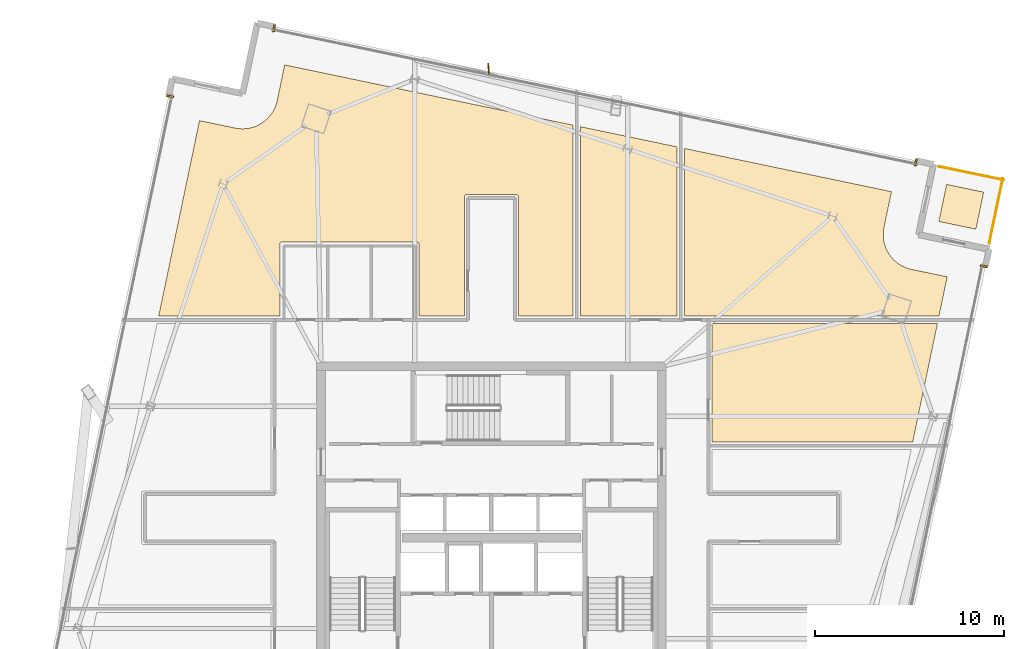
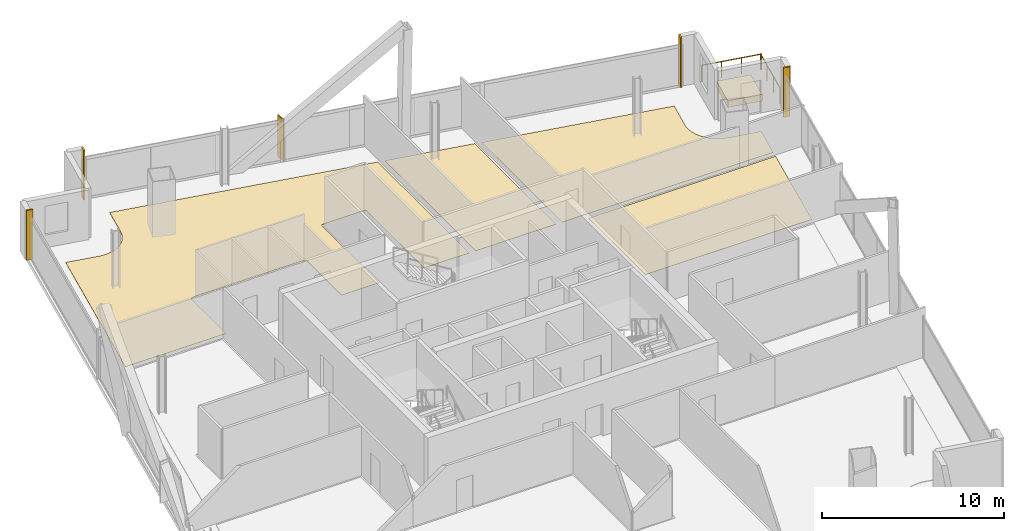
# One storey, part 24 of 24: 9 coverings, 2 railings, 1 shading device.
"""IFC4 building model written with IfcOpenShell, lengths in metres."""

from ifc_helpers import new_model, si_unit, direction, frame, origin, origin_2d, place, context, subcontext, project, spatial, polyline, rectangle, outline, extrude, source, transform, mapped, material, layer, layer_set, type_object, element, save


model = new_model("IFC4")

# Units and contexts
model_context = context("Model", 3, precision=1e-05, world=origin(), true_north=direction((0.0, 1.0)))
body_context = subcontext(model_context, "Body", "Model", "MODEL_VIEW")
ifc_project = project(units=[si_unit("LENGTHUNIT", "METRE"), si_unit("AREAUNIT", "SQUARE_METRE"), si_unit("VOLUMEUNIT", "CUBIC_METRE"), si_unit("PLANEANGLEUNIT", "RADIAN"), si_unit("MASSUNIT", "GRAM", prefix="KILO")], contexts=[model_context])

# Site, building, storey
site_placement = place(None, origin())
site = spatial("IfcSite", under=ifc_project, at=site_placement, CompositionType="ELEMENT")
building_placement = place(site_placement, origin())
building = spatial("IfcBuilding", under=site, at=building_placement, Name="Haldenkirk Collegiate Tower", CompositionType="ELEMENT")
storey_placement = place(building_placement, frame((0.0, 0.0, 289.949951171875)))
storey = spatial("IfcBuildingStorey", under=building, at=storey_placement, Name="L73", CompositionType="ELEMENT", Elevation=289.949951171875)

# Coverings
ifc_material_1 = material(Name="Polished collegiate terrazzo", Category="concrete")
ifc_layer_1 = layer(ifc_material_1, 0.02490234375)
ifc_layer_set_1 = layer_set([ifc_layer_1], Name="Polished collegiate terrazzo")
covering_type_1 = type_object("IfcCoveringType", Name="COV-FLOOR-TERRAZZO", PredefinedType="FLOORING", material=ifc_layer_set_1)
covering_1_placement = place(storey_placement, origin())
element("IfcCovering", 1, at=covering_1_placement, inside=storey, type_object=covering_type_1, Name="L73 academic room finish 04", PredefinedType="FLOORING", context=body_context, shape_type="SweptSolid", body=[
    extrude(outline(polyline([(45.800048828125, 45.590087890625), (45.800048828125, 36.64990234375), (40.699951171875, 36.64990234375), (40.699951171875, 46.6552734375), (45.800048828125, 45.590087890625)])), origin(), (0.0, 0.0, 1.0), 0.025146484375),
])
covering_2_placement = place(storey_placement, origin())
element("IfcCovering", 2, at=covering_2_placement, inside=storey, type_object=covering_type_1, Name="L73 academic room finish 10", PredefinedType="FLOORING", context=body_context, shape_type="SweptSolid", body=[
    extrude(outline(polyline([(58.2431640625, 30.0), (47.64990234375, 30.0), (47.64990234375, 36.25), (59.548583984375, 36.25), (58.2431640625, 30.0)])), origin(), (0.0, 0.0, 1.0), 0.025146484375),
])
ifc_material_2 = material(Name="Engineered collegiate oak acoustic flooring", Category="wood")
ifc_layer_2 = layer(ifc_material_2, 0.02197265625)
ifc_layer_set_2 = layer_set([ifc_layer_2], Name="Engineered collegiate oak acoustic flooring")
covering_type_2 = type_object("IfcCoveringType", Name="COV-FLOOR-TIMBER", PredefinedType="FLOORING", material=ifc_layer_set_2)
covering_3_placement = place(storey_placement, origin())
element("IfcCovering", 3, at=covering_3_placement, inside=storey, type_object=covering_type_2, Name="L73 academic room finish 03", PredefinedType="FLOORING", context=body_context, shape_type="SweptSolid", body=[
    extrude(outline(polyline([(22.472900390625, 46.581298828125), (22.478759765625, 46.580078125), (22.648193359375, 46.55322265625), (22.66015625, 46.552001953125), (22.83154296875, 46.5419921875), (22.84326171875, 46.5419921875), (23.014892578125, 46.548583984375), (23.026611328125, 46.5498046875), (23.196533203125, 46.5732421875), (23.208251953125, 46.575439453125), (23.375244140625, 46.615478515625), (23.386474609375, 46.618896484375), (23.548828125, 46.67529296875), (23.559814453125, 46.6796875), (23.7158203125, 46.75146484375), (23.72607421875, 46.757080078125), (23.874267578125, 46.843994140625), (23.884033203125, 46.850341796875), (24.02294921875, 46.951171875), (24.0322265625, 46.95849609375), (24.160400390625, 47.07275390625), (24.1689453125, 47.0810546875), (24.285400390625, 47.207275390625), (24.29296875, 47.216064453125), (24.396728515625, 47.35302734375), (24.4033203125, 47.36279296875), (24.492919921875, 47.50927734375), (24.498779296875, 47.519775390625), (24.573486328125, 47.67431640625), (24.578125, 47.68505859375), (24.6376953125, 47.84619140625), (24.64111328125, 47.857421875), (24.684326171875, 48.0234375), (24.685791015625, 48.029296875), (25.080322265625, 49.91845703125), (40.300048828125, 46.739013671875), (40.300048828125, 36.64990234375), (37.419921875, 36.64990234375), (37.419921875, 42.949951171875), (37.41943359375, 42.9619140625), (37.417724609375, 42.973388671875), (37.414794921875, 42.98486328125), (37.410888671875, 42.995849609375), (37.40576171875, 43.006591796875), (37.39990234375, 43.0166015625), (37.392822265625, 43.026123046875), (37.385009765625, 43.034912109375), (37.376220703125, 43.042724609375), (37.36669921875, 43.0498046875), (37.356689453125, 43.055908203125), (37.345947265625, 43.060791015625), (37.334716796875, 43.064697265625), (37.323486328125, 43.067626953125), (37.311767578125, 43.0693359375), (37.300048828125, 43.070068359375), (34.699951171875, 43.070068359375), (34.688232421875, 43.0693359375), (34.676513671875, 43.067626953125), (34.665283203125, 43.064697265625), (34.654052734375, 43.060791015625), (34.643310546875, 43.055908203125), (34.63330078125, 43.0498046875), (34.623779296875, 43.042724609375), (34.614990234375, 43.034912109375), (34.607177734375, 43.026123046875), (34.60009765625, 43.0166015625), (34.59423828125, 43.006591796875), (34.589111328125, 42.995849609375), (34.585205078125, 42.98486328125), (34.582275390625, 42.973388671875), (34.58056640625, 42.9619140625), (34.580078125, 42.949951171875), (34.580078125, 36.64990234375), (32.169921875, 36.64990234375), (32.169921875, 40.449951171875), (32.16943359375, 40.4619140625), (32.167724609375, 40.473388671875), (32.164794921875, 40.48486328125), (32.160888671875, 40.495849609375), (32.15576171875, 40.506591796875), (32.14990234375, 40.5166015625), (32.142822265625, 40.526123046875), (32.135009765625, 40.534912109375), (32.126220703125, 40.542724609375), (32.11669921875, 40.5498046875), (32.106689453125, 40.555908203125), (32.095947265625, 40.560791015625), (32.084716796875, 40.564697265625), (32.073486328125, 40.567626953125), (32.061767578125, 40.5693359375), (32.050048828125, 40.570068359375), (24.949951171875, 40.570068359375), (24.938232421875, 40.5693359375), (24.926513671875, 40.567626953125), (24.915283203125, 40.564697265625), (24.904052734375, 40.560791015625), (24.893310546875, 40.555908203125), (24.88330078125, 40.5498046875), (24.873779296875, 40.542724609375), (24.864990234375, 40.534912109375), (24.857177734375, 40.526123046875), (24.85009765625, 40.5166015625), (24.84423828125, 40.506591796875), (24.839111328125, 40.495849609375), (24.835205078125, 40.48486328125), (24.832275390625, 40.473388671875), (24.83056640625, 40.4619140625), (24.830078125, 40.449951171875), (24.830078125, 36.64990234375), (18.426513671875, 36.64990234375), (20.583740234375, 46.975830078125), (22.472900390625, 46.581298828125)])), origin(), (0.0, 0.0, 1.0), 0.02197265625),
])
covering_4_placement = place(storey_placement, origin())
element("IfcCovering", 4, at=covering_4_placement, inside=storey, type_object=covering_type_2, Name="L73 academic room finish 05", PredefinedType="FLOORING", context=body_context, shape_type="SweptSolid", body=[
    extrude(outline(polyline([(57.123779296875, 43.224365234375), (56.72900390625, 41.335205078125), (56.72802734375, 41.329345703125), (56.701171875, 41.15966796875), (56.699951171875, 41.14794921875), (56.689697265625, 40.9765625), (56.689697265625, 40.964599609375), (56.696533203125, 40.793212890625), (56.697509765625, 40.781494140625), (56.720947265625, 40.611328125), (56.72314453125, 40.599609375), (56.763427734375, 40.4326171875), (56.7666015625, 40.42138671875), (56.822998046875, 40.25927734375), (56.827392578125, 40.248291015625), (56.8994140625, 40.09228515625), (56.90478515625, 40.081787109375), (56.99169921875, 39.933837890625), (56.998046875, 39.924072265625), (57.09912109375, 39.78515625), (57.1064453125, 39.77587890625), (57.220458984375, 39.6474609375), (57.228759765625, 39.638916015625), (57.35498046875, 39.5224609375), (57.364013671875, 39.514892578125), (57.500732421875, 39.411376953125), (57.510498046875, 39.40478515625), (57.656982421875, 39.31494140625), (57.66748046875, 39.309326171875), (57.822021484375, 39.234375), (57.832763671875, 39.229736328125), (57.993896484375, 39.17041015625), (58.005126953125, 39.1669921875), (58.17138671875, 39.12353515625), (58.177001953125, 39.122314453125), (60.06640625, 38.7275390625), (59.63232421875, 36.64990234375), (46.199951171875, 36.64990234375), (46.199951171875, 45.50634765625), (57.123779296875, 43.224365234375)])), origin(), (0.0, 0.0, 1.0), 0.02197265625),
])
ifc_material_3 = material(Name="Precast concrete f'c 40 MPa", Category="concrete")
ifc_layer_3 = layer(ifc_material_3, 0.449951171875)
ifc_layer_set_3 = layer_set([ifc_layer_3], Name="Precast concrete f'c 40 MPa")
covering_type_3 = type_object("IfcCoveringType", Name="COV-PLANTER-450", PredefinedType="USERDEFINED", material=ifc_layer_set_3)
covering_5_placement = place(storey_placement, origin())
element("IfcCovering", 5, at=covering_5_placement, inside=storey, type_object=covering_type_3, Name="L73 planted garden planter bed", ObjectType="PLANTER", PredefinedType="USERDEFINED", context=body_context, shape_type="SweptSolid", body=[
    extrude(outline(polyline([(61.582275390625, 41.240478515625), (59.62451171875, 41.649658203125), (60.033447265625, 43.607421875), (61.9912109375, 43.198486328125), (61.582275390625, 41.240478515625)])), origin(), (0.0, 0.0, 1.0), 0.449951171875),
])

# Railings
ifc_material_4 = material(Name="Anodised architectural bronze aluminium", Category="aluminium")
railing_type = type_object("IfcRailingType", Name="RLG-TERR-BALUSTRADE-1100", PredefinedType="BALUSTRADE", material=ifc_material_4)
railing_1_placement = place(storey_placement, frame((62.285888671875, 40.501220703125, 0.0)))
element("IfcRailing", 6, at=railing_1_placement, inside=storey, type_object=railing_type, Name="L73 terrace guard balustrade 1-1", PredefinedType="BALUSTRADE", context=body_context, shape_type="SweptSolid", body=[
    extrude(rectangle(XDim=0.048095703125, YDim=0.048095703125, at=origin_2d()), frame((0.0, 0.0, 1.076171875), z_axis=(0.204500517367, 0.978866455854, 0.0), x_axis=(-0.978866455854, 0.204500517367, 0.0)), (0.0, 0.0, 1.0), 3.47998046875),
    extrude(rectangle(XDim=0.0419921875, YDim=0.0419921875, at=origin_2d()), origin(), (0.0, 0.0, 1.0), 1.052001953125),
    extrude(rectangle(XDim=0.0419921875, YDim=0.0419921875, at=origin_2d()), frame((0.2373046875, 1.135498046875, 0.0)), (0.0, 0.0, 1.0), 1.052001953125),
    extrude(rectangle(XDim=0.0419921875, YDim=0.0419921875, at=origin_2d()), frame((0.474365234375, 2.27099609375, 0.0)), (0.0, 0.0, 1.0), 1.052001953125),
    extrude(rectangle(XDim=0.0419921875, YDim=0.0419921875, at=origin_2d()), frame((0.711669921875, 3.406494140625, 0.0)), (0.0, 0.0, 1.0), 1.052001953125),
])
railing_2_placement = place(storey_placement, frame((63.0439453125, 43.836669921875, 0.0)))
element("IfcRailing", 7, at=railing_2_placement, inside=storey, type_object=railing_type, Name="L73 terrace guard balustrade 2-1", PredefinedType="BALUSTRADE", context=body_context, shape_type="SweptSolid", body=[
    extrude(rectangle(XDim=0.048095703125, YDim=0.048095703125, at=origin_2d()), frame((0.0, 0.0, 1.076171875), z_axis=(-0.978877564883, 0.204447335441, 0.0), x_axis=(-0.204447335441, -0.978877564883, 0.0)), (0.0, 0.0, 1.0), 3.479736328125),
    extrude(rectangle(XDim=0.0419921875, YDim=0.0419921875, at=origin_2d()), origin(), (0.0, 0.0, 1.0), 1.052001953125),
    extrude(rectangle(XDim=0.0419921875, YDim=0.0419921875, at=origin_2d()), frame((-1.135498046875, 0.237060546875, 0.0)), (0.0, 0.0, 1.0), 1.052001953125),
    extrude(rectangle(XDim=0.0419921875, YDim=0.0419921875, at=origin_2d()), frame((-2.270751953125, 0.474365234375, 0.0)), (0.0, 0.0, 1.0), 1.052001953125),
    extrude(rectangle(XDim=0.0419921875, YDim=0.0419921875, at=origin_2d()), frame((-3.40625, 0.71142578125, 0.0)), (0.0, 0.0, 1.0), 1.052001953125),
])

# Coverings
ifc_layer_4 = layer(ifc_material_4, 0.06005859375)
ifc_layer_set_4 = layer_set([ifc_layer_4], Name="Anodised architectural bronze aluminium")
covering_type_4 = type_object("IfcCoveringType", Name="COV-CLAD-BRONZE-60", PredefinedType="CLADDING", material=ifc_layer_set_4)
shared_shape_1 = source(origin(), body_context, "Body", "SweptSolid", [
    extrude(rectangle(XDim=0.10009765625, YDim=0.3798828125, at=origin_2d()), origin(), (0.0, 0.0, 1.0), 3.340087890625),
])
for number, where, z_axis, x_axis, name in (
    (8, (62.0009765625, 39.28369140625, 0.0), (0.0, 0.0, 1.0), (-0.204496051842, -0.978867388762, 0.0), "L73 recessed curtain-wall bronze jamb closure SJL"),
    (9, (24.5244140625, 51.85302734375, 0.0), (0.0, 0.0, 1.0), (0.978867388762, -0.204496051842, 0.0), "L73 recessed curtain-wall bronze jamb closure EJL"),
    (10, (58.40771484375, 44.7744140625, 0.0), (0.0, 0.0, 1.0), (0.978867388762, -0.204496051842, 0.0), "L73 recessed curtain-wall bronze jamb closure EJR"),
    (11, (19.03369140625, 48.260009765625, 0.0), (0.0, 0.0, 1.0), (0.204496051842, 0.978867388762, 0.0), "L73 recessed curtain-wall bronze jamb closure NJR"),
):
    element("IfcCovering", number, at=place(storey_placement, frame(where, z_axis=z_axis, x_axis=x_axis)), inside=storey, type_object=covering_type_4, Name=name, PredefinedType="CLADDING", context=body_context, shape_type="MappedRepresentation", body=[
        mapped(shared_shape_1, transform((0.0, 0.0, 0.0), x_axis=(1.0, 0.0, 0.0), y_axis=(0.0, 1.0, 0.0), z_axis=(0.0, 0.0, 1.0), scale=1.0)),
    ])

# Shading device
ifc_layer_5 = layer(ifc_material_4, 0.06494140625)
ifc_layer_set_5 = layer_set([ifc_layer_5], Name="Anodised architectural bronze aluminium")
shading_device_type = type_object("IfcShadingDeviceType", Name="SHD-FIN-BRONZE-620", PredefinedType="USERDEFINED", material=ifc_layer_set_5)
shared_shape_2 = source(origin(), body_context, "Body", "SweptSolid", [
    extrude(rectangle(XDim=0.6201171875, YDim=0.06494140625, at=origin_2d()), origin(), (0.0, 0.0, 1.0), 2.798095703125),
])
shading_device_placement = place(storey_placement, frame((35.85107421875, 49.6962890625, 0.0), z_axis=(0.0, 0.0, 1.0), x_axis=(-0.073238197128, 0.997314477224, 0.0)))
element("IfcShadingDevice", 12, at=shading_device_placement, inside=storey, type_object=shading_device_type, Name="L73 folded bronze solar fin 1", ObjectType="FIN", PredefinedType="USERDEFINED", context=body_context, shape_type="MappedRepresentation", body=[
    mapped(shared_shape_2, transform((0.0, 0.0, 0.0), x_axis=(1.0, 0.0, 0.0), y_axis=(0.0, 1.0, 0.0), z_axis=(0.0, 0.0, 1.0), scale=1.0)),
])

save(model, "model.ifc")
